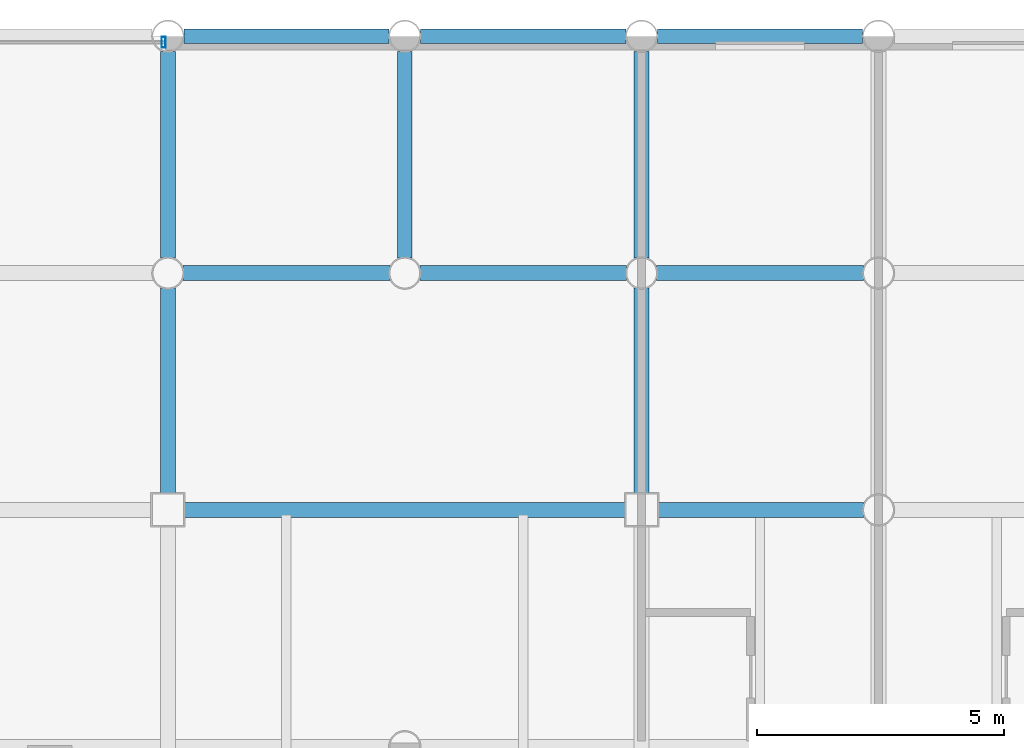
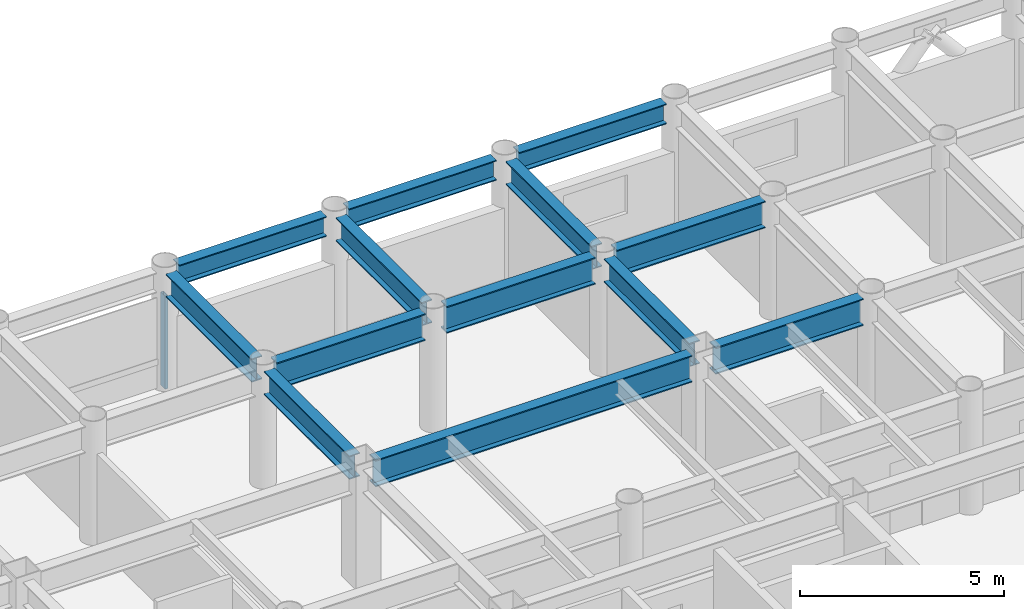
# One storey, part 13 of 20: 13 beams, 1 member, 1 element without a shape of its own.
"""IFC4 building model written with IfcOpenShell, lengths in metres."""

from ifc_helpers import new_model, si_unit, direction, frame, origin, origin_2d, place, context, subcontext, project, spatial, hollow_rectangle, i_section, extrude, material, layer, layer_set, material_profile, profile_set, type_object, element, aggregate, save


model = new_model("IFC4")

# Units and contexts
model_context = context("Model", 3, precision=1e-05, world=origin(), true_north=direction((0.0, 1.0)))
body_context = subcontext(model_context, "Body", "Model", "MODEL_VIEW")
ifc_project = project(units=[si_unit("LENGTHUNIT", "METRE"), si_unit("AREAUNIT", "SQUARE_METRE"), si_unit("VOLUMEUNIT", "CUBIC_METRE"), si_unit("PLANEANGLEUNIT", "RADIAN"), si_unit("MASSUNIT", "GRAM", prefix="KILO")], contexts=[model_context])

# Site, building, storey
site_placement = place(None, origin())
site = spatial("IfcSite", under=ifc_project, at=site_placement, CompositionType="ELEMENT")
building_placement = place(site_placement, origin())
building = spatial("IfcBuilding", under=site, at=building_placement, Name="Kallvorn Hotel Tower", CompositionType="ELEMENT")
storey_placement = place(building_placement, frame((0.0, 0.0, 98.89990234375)))
storey = spatial("IfcBuildingStorey", under=building, at=storey_placement, Name="L23", CompositionType="ELEMENT", Elevation=98.89990234375)

# Beams
ifc_material_1 = material(Name="Structural steel S355JR", Category="steel")
ifc_material_profile_1 = material_profile(ifc_material_1, i_section(OverallWidth=0.300048828125, OverallDepth=0.60009765625, WebThickness=0.015380859375, FlangeThickness=0.030029296875, at=origin_2d()), Name="HE 600 B")
ifc_profile_set_1 = profile_set([ifc_material_profile_1], Name="Structural steel S355JR")
beam_type_1 = type_object("IfcBeamType", Name="BM_HE600B", PredefinedType="SPANDREL", material=ifc_profile_set_1)
beam_1_placement = place(storey_placement, frame((5.1201171875, 24.0, 3.22021484375), z_axis=(1.0, 0.0, 0.0), x_axis=(0.0, 1.0, 0.0)))
element("IfcBeam", 1, at=beam_1_placement, inside=storey, type_object=beam_type_1, Name="L24 Perimeter Spandrel 169", PredefinedType="SPANDREL", context=body_context, shape_type="SweptSolid", body=[
    extrude(i_section(OverallWidth=0.300048828125, OverallDepth=0.60009765625, WebThickness=0.015380859375, FlangeThickness=0.030029296875, at=origin_2d()), origin(), (0.0, 0.0, 1.0), 4.159912109375),
])
beam_2_placement = place(storey_placement, frame((9.919921875, 24.0, 3.22021484375), z_axis=(1.0, 0.0, 0.0), x_axis=(0.0, 1.0, 0.0)))
element("IfcBeam", 2, at=beam_2_placement, inside=storey, type_object=beam_type_1, Name="L24 Perimeter Spandrel 170", PredefinedType="SPANDREL", context=body_context, shape_type="SweptSolid", body=[
    extrude(i_section(OverallWidth=0.300048828125, OverallDepth=0.60009765625, WebThickness=0.015380859375, FlangeThickness=0.030029296875, at=origin_2d()), origin(), (0.0, 0.0, 1.0), 4.16015625),
])
beam_3_placement = place(storey_placement, frame((14.719970703125, 24.0, 3.22021484375), z_axis=(1.0, 0.0, 0.0), x_axis=(0.0, 1.0, 0.0)))
element("IfcBeam", 3, at=beam_3_placement, inside=storey, type_object=beam_type_1, Name="L24 Perimeter Spandrel 171", PredefinedType="SPANDREL", context=body_context, shape_type="SweptSolid", body=[
    extrude(i_section(OverallWidth=0.300048828125, OverallDepth=0.60009765625, WebThickness=0.015380859375, FlangeThickness=0.030029296875, at=origin_2d()), origin(), (0.0, 0.0, 1.0), 4.159912109375),
])
ifc_material_2 = material(Name="Structural steel S355JR", Category="steel")
ifc_material_profile_2 = material_profile(ifc_material_2, i_section(OverallWidth=0.300048828125, OverallDepth=0.699951171875, WebThickness=0.01708984375, FlangeThickness=0.031982421875, at=origin_2d()), Name="HE 700 B")
ifc_profile_set_2 = profile_set([ifc_material_profile_2], Name="Structural steel S355JR")
beam_type_2 = type_object("IfcBeamType", Name="BM_HE700B", PredefinedType="BEAM", material=ifc_profile_set_2)
beam_4_placement = place(storey_placement, frame((4.800048828125, 14.72509765625, 3.170166015625), z_axis=(0.0, 1.0, 0.0), x_axis=(-1.0, 0.0, 0.0)))
element("IfcBeam", 4, at=beam_4_placement, inside=storey, type_object=beam_type_2, Name="L24 Primary Y-Girder 116", PredefinedType="BEAM", context=body_context, shape_type="SweptSolid", body=[
    extrude(i_section(OverallWidth=0.300048828125, OverallDepth=0.699951171875, WebThickness=0.01708984375, FlangeThickness=0.031982421875, at=origin_2d()), origin(), (0.0, 0.0, 1.0), 4.169921875),
])
for number, where, z_axis, x_axis, name in (
    (5, (4.800048828125, 19.5048828125, 3.170166015625), (0.0, 1.0, 0.0), (-1.0, 0.0, 0.0), "L24 Primary Y-Girder 117"),
    (6, (9.60009765625, 19.5048828125, 3.170166015625), (0.0, 1.0, 0.0), (-1.0, 0.0, 0.0), "L24 Primary Y-Girder 120"),
):
    element("IfcBeam", number, at=place(storey_placement, frame(where, z_axis=z_axis, x_axis=x_axis)), inside=storey, type_object=beam_type_2, Name=name, PredefinedType="BEAM", context=body_context, shape_type="SweptSolid", body=[
        extrude(i_section(OverallWidth=0.300048828125, OverallDepth=0.699951171875, WebThickness=0.01708984375, FlangeThickness=0.031982421875, at=origin_2d()), origin(), (0.0, 0.0, 1.0), 4.190185546875),
    ])
beam_5_placement = place(storey_placement, frame((14.39990234375, 14.72509765625, 3.170166015625), z_axis=(0.0, 1.0, 0.0), x_axis=(-1.0, 0.0, 0.0)))
element("IfcBeam", 7, at=beam_5_placement, inside=storey, type_object=beam_type_2, Name="L24 Primary Y-Girder 124", PredefinedType="BEAM", context=body_context, shape_type="SweptSolid", body=[
    extrude(i_section(OverallWidth=0.300048828125, OverallDepth=0.699951171875, WebThickness=0.01708984375, FlangeThickness=0.031982421875, at=origin_2d()), origin(), (0.0, 0.0, 1.0), 4.169921875),
])
beam_6_placement = place(storey_placement, frame((14.39990234375, 19.5048828125, 3.170166015625), z_axis=(0.0, 1.0, 0.0), x_axis=(-1.0, 0.0, 0.0)))
element("IfcBeam", 8, at=beam_6_placement, inside=storey, type_object=beam_type_2, Name="L24 Primary Y-Girder 125", PredefinedType="BEAM", context=body_context, shape_type="SweptSolid", body=[
    extrude(i_section(OverallWidth=0.300048828125, OverallDepth=0.699951171875, WebThickness=0.01708984375, FlangeThickness=0.031982421875, at=origin_2d()), origin(), (0.0, 0.0, 1.0), 4.190185546875),
])
ifc_material_3 = material(Name="Structural steel S355JR", Category="steel")
ifc_material_profile_3 = material_profile(ifc_material_3, i_section(OverallWidth=0.300048828125, OverallDepth=0.800048828125, WebThickness=0.017578125, FlangeThickness=0.032958984375, at=origin_2d()), Name="HE 800 B")
ifc_profile_set_3 = profile_set([ifc_material_profile_3], Name="Structural steel S355JR")
beam_type_3 = type_object("IfcBeamType", Name="BM_HE800B", PredefinedType="BEAM", material=ifc_profile_set_3)
beam_7_placement = place(storey_placement, frame((5.125, 14.39990234375, 3.1201171875), z_axis=(1.0, 0.0, 0.0), x_axis=(0.0, 1.0, 0.0)))
element("IfcBeam", 9, at=beam_7_placement, inside=storey, type_object=beam_type_3, Name="L24 Primary X-Girder 55", PredefinedType="BEAM", context=body_context, shape_type="SweptSolid", body=[
    extrude(i_section(OverallWidth=0.300048828125, OverallDepth=0.800048828125, WebThickness=0.017578125, FlangeThickness=0.032958984375, at=origin_2d()), origin(), (0.0, 0.0, 1.0), 8.949951171875),
])
beam_8_placement = place(storey_placement, frame((14.72509765625, 14.39990234375, 3.1201171875), z_axis=(1.0, 0.0, 0.0), x_axis=(0.0, 1.0, 0.0)))
element("IfcBeam", 10, at=beam_8_placement, inside=storey, type_object=beam_type_3, Name="L24 Primary X-Girder 56", PredefinedType="BEAM", context=body_context, shape_type="SweptSolid", body=[
    extrude(i_section(OverallWidth=0.300048828125, OverallDepth=0.800048828125, WebThickness=0.017578125, FlangeThickness=0.032958984375, at=origin_2d()), origin(), (0.0, 0.0, 1.0), 4.169921875),
])
for number, where, z_axis, x_axis, name in (
    (11, (5.10498046875, 19.199951171875, 3.1201171875), (1.0, 0.0, 0.0), (0.0, 1.0, 0.0), "L24 Primary X-Girder 67"),
    (12, (9.905029296875, 19.199951171875, 3.1201171875), (1.0, 0.0, 0.0), (0.0, 1.0, 0.0), "L24 Primary X-Girder 68"),
    (13, (14.705078125, 19.199951171875, 3.1201171875), (1.0, 0.0, 0.0), (0.0, 1.0, 0.0), "L24 Primary X-Girder 69"),
):
    element("IfcBeam", number, at=place(storey_placement, frame(where, z_axis=z_axis, x_axis=x_axis)), inside=storey, type_object=beam_type_3, Name=name, PredefinedType="BEAM", context=body_context, shape_type="SweptSolid", body=[
        extrude(i_section(OverallWidth=0.300048828125, OverallDepth=0.800048828125, WebThickness=0.017578125, FlangeThickness=0.032958984375, at=origin_2d()), origin(), (0.0, 0.0, 1.0), 4.18994140625),
    ])

# Curtain wall, member
ifc_material_4 = material(Name="Thermally broken black-anodised aluminium AA 6063-T6", Category="aluminium")
ifc_layer = layer(ifc_material_4, 0.199951171875)
ifc_layer_set = layer_set([ifc_layer], Name="CW_SYS_3_HOTEL_LOW")
curtain_wall_type = type_object("IfcCurtainWallType", Name="CW_SYS_3_HOTEL_LOW", PredefinedType="USERDEFINED", material=ifc_layer_set)
curtain_wall_placement = place(storey_placement, origin())
curtain_wall = element("IfcCurtainWall", 14, at=curtain_wall_placement, inside=storey, type_object=curtain_wall_type, Name="L23 Dark-Glass Curtain Wall CW-L23-NC", ObjectType="UNITISED CURTAIN WALL", PredefinedType="USERDEFINED")
ifc_material_5 = material(Name="Thermally broken black-anodised aluminium AA 6063-T6", Category="aluminium")
ifc_material_profile_4 = material_profile(ifc_material_5, hollow_rectangle(XDim=0.080078125, YDim=0.219970703125, WallThickness=0.0048828125, at=origin_2d()), Name="MUL 220x80")
ifc_profile_set_4 = profile_set([ifc_material_profile_4], Name="Thermally broken black-anodised aluminium AA 6063-T6")
member_type = type_object("IfcMemberType", Name="CW_MULLION_220x80", PredefinedType="MULLION", material=ifc_profile_set_4)
member_placement = place(storey_placement, frame((4.7099609375, 23.8798828125, 0.02001953125), z_axis=(0.0, 0.0, 1.0), x_axis=(1.0, 0.0, 0.0)))
member = element("IfcMember", 15, at=member_placement, type_object=member_type, Name="CW-L23-NC Mullion 02", PredefinedType="MULLION", context=body_context, shape_type="SweptSolid", body=[
    extrude(hollow_rectangle(XDim=0.080078125, YDim=0.219970703125, WallThickness=0.0048828125, at=origin_2d()), origin(), (0.0, 0.0, 1.0), 2.780029296875),
])
aggregate(curtain_wall, [member])

save(model, "model.ifc")
